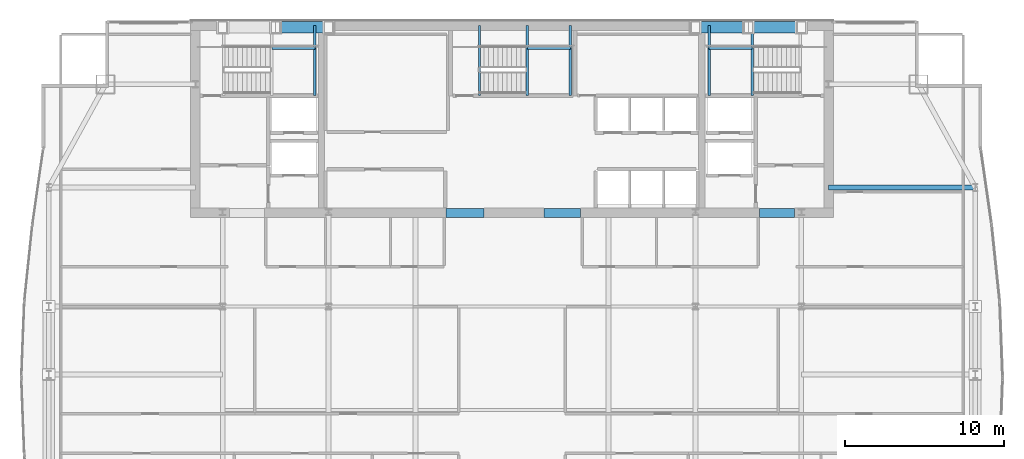
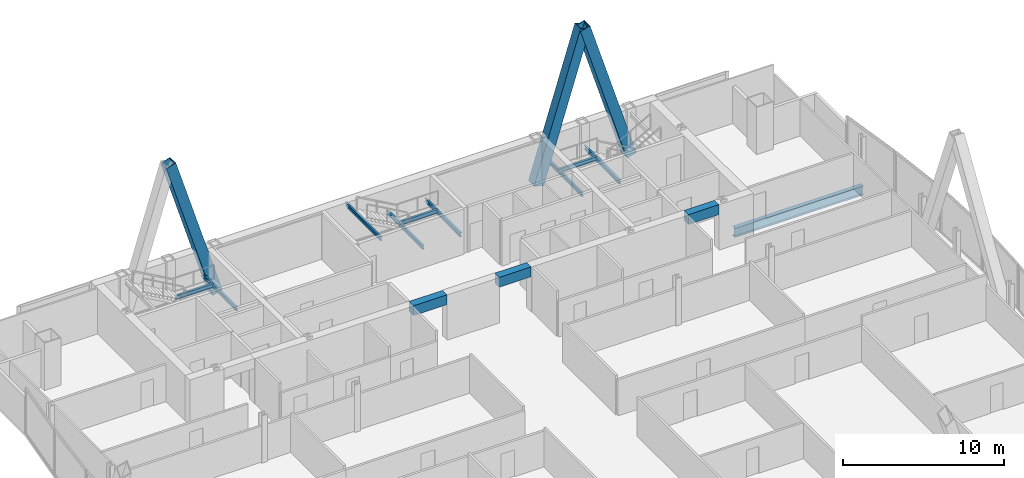
# One storey, part 24 of 32: 13 beams, 3 members.
"""IFC4 building model written with IfcOpenShell, lengths in metres."""

from ifc_helpers import new_model, si_unit, direction, frame, origin, origin_2d, place, context, subcontext, project, spatial, rectangle, hollow_rectangle, i_section, extrude, material, material_profile, profile_set, type_object, element, save


model = new_model("IFC4")

# Units and contexts
model_context = context("Model", 3, precision=1e-05, world=origin(), true_north=direction((0.0, 1.0)))
body_context = subcontext(model_context, "Body", "Model", "MODEL_VIEW")
ifc_project = project(units=[si_unit("LENGTHUNIT", "METRE"), si_unit("AREAUNIT", "SQUARE_METRE"), si_unit("VOLUMEUNIT", "CUBIC_METRE"), si_unit("PLANEANGLEUNIT", "RADIAN"), si_unit("MASSUNIT", "GRAM", prefix="KILO")], contexts=[model_context])

# Site, building, storey
site_placement = place(None, origin())
site = spatial("IfcSite", under=ifc_project, at=site_placement, CompositionType="ELEMENT")
building_placement = place(site_placement, origin())
building = spatial("IfcBuilding", under=site, at=building_placement, Name="Khoronbel Lancet Exchange", CompositionType="ELEMENT")
storey_placement = place(building_placement, frame((0.0, 0.0, 199.39990234375)))
storey = spatial("IfcBuildingStorey", under=building, at=storey_placement, Name="L50", CompositionType="ELEMENT", Elevation=199.39990234375)

# Beams
ifc_material_1 = material(Name="Steel S355", Category="steel")
ifc_material_profile_1 = material_profile(ifc_material_1, i_section(OverallWidth=0.300048828125, OverallDepth=0.699951171875, WebThickness=0.01708984375, FlangeThickness=0.031982421875, at=origin_2d()), Name="HEB 700")
ifc_profile_set_1 = profile_set([ifc_material_profile_1], Name="Steel S355")
beam_type_1 = type_object("IfcBeamType", Name="BM-BG3", PredefinedType="BEAM", material=ifc_profile_set_1)
beam_1_placement = place(storey_placement, frame((56.39990234375, 43.199951171875, -0.510009765625), z_axis=(1.0, 0.0, 0.0), x_axis=(0.0, 1.0, 0.0)))
element("IfcBeam", 1, at=beam_1_placement, inside=storey, type_object=beam_type_1, Name="Level L50 east lens tie girder LG3E", PredefinedType="BEAM", context=body_context, shape_type="SweptSolid", body=[
    extrude(i_section(OverallWidth=0.300048828125, OverallDepth=0.699951171875, WebThickness=0.01708984375, FlangeThickness=0.031982421875, at=origin_2d()), origin(), (0.0, 0.0, 1.0), 9.22998046875),
])
ifc_material_profile_2 = material_profile(ifc_material_1, i_section(OverallWidth=0.14990234375, OverallDepth=0.300048828125, WebThickness=0.007080078125, FlangeThickness=0.0107421875, at=origin_2d()), Name="IPE 300")
ifc_profile_set_2 = profile_set([ifc_material_profile_2], Name="Steel S355")
beam_type_2 = type_object("IfcBeamType", Name="BM-BJ8", PredefinedType="JOIST", material=ifc_profile_set_2)
beam_2_placement = place(storey_placement, frame((24.030029296875, 48.97998046875, 1.4501953125), z_axis=(0.0, 1.0, 0.0), x_axis=(-1.0, 0.0, 0.0)))
element("IfcBeam", 2, at=beam_2_placement, inside=storey, type_object=beam_type_2, Name="Level L50 stair ST1 rear landing bearer beam 1", PredefinedType="JOIST", context=body_context, shape_type="SweptSolid", body=[
    extrude(i_section(OverallWidth=0.14990234375, OverallDepth=0.300048828125, WebThickness=0.007080078125, FlangeThickness=0.0107421875, at=origin_2d()), origin(), (0.0, 0.0, 1.0), 4.419921875),
])
beam_3_placement = place(storey_placement, frame((21.320068359375, 51.97998046875, 1.4501953125), z_axis=(1.0, 0.0, 0.0), x_axis=(0.0, 1.0, 0.0)))
element("IfcBeam", 3, at=beam_3_placement, inside=storey, type_object=beam_type_2, Name="Level L50 stair ST1 landing cross trimmer beam 1", PredefinedType="JOIST", context=body_context, shape_type="SweptSolid", body=[
    extrude(i_section(OverallWidth=0.14990234375, OverallDepth=0.300048828125, WebThickness=0.007080078125, FlangeThickness=0.0107421875, at=origin_2d()), origin(), (0.0, 0.0, 1.0), 2.7099609375),
])
for number, where, z_axis, x_axis, name in (
    (4, (51.580078125, 48.97998046875, 1.4501953125), (0.0, 1.0, 0.0), (-1.0, 0.0, 0.0), "Level L50 stair ST2 landing bearer beam 1"),
    (5, (48.8701171875, 48.97998046875, 1.4501953125), (0.0, 1.0, 0.0), (-1.0, 0.0, 0.0), "Level L50 stair ST2 rear landing bearer beam 1"),
):
    element("IfcBeam", number, at=place(storey_placement, frame(where, z_axis=z_axis, x_axis=x_axis)), inside=storey, type_object=beam_type_2, Name=name, PredefinedType="JOIST", context=body_context, shape_type="SweptSolid", body=[
        extrude(i_section(OverallWidth=0.14990234375, OverallDepth=0.300048828125, WebThickness=0.007080078125, FlangeThickness=0.0107421875, at=origin_2d()), origin(), (0.0, 0.0, 1.0), 4.419921875),
    ])
beam_4_placement = place(storey_placement, frame((48.8701171875, 51.97998046875, 1.4501953125), z_axis=(1.0, 0.0, 0.0), x_axis=(0.0, 1.0, 0.0)))
element("IfcBeam", 6, at=beam_4_placement, inside=storey, type_object=beam_type_2, Name="Level L50 stair ST2 landing cross trimmer beam 1", PredefinedType="JOIST", context=body_context, shape_type="SweptSolid", body=[
    extrude(i_section(OverallWidth=0.14990234375, OverallDepth=0.300048828125, WebThickness=0.007080078125, FlangeThickness=0.0107421875, at=origin_2d()), origin(), (0.0, 0.0, 1.0), 2.7099609375),
])
for number, where, z_axis, x_axis, name in (
    (7, (37.419921875, 48.97998046875, 1.4501953125), (0.0, 1.0, 0.0), (-1.0, 0.0, 0.0), "Level L50 stair ST3 landing bearer beam 1"),
    (8, (40.1298828125, 48.97998046875, 1.4501953125), (0.0, 1.0, 0.0), (-1.0, 0.0, 0.0), "Level L50 stair ST3 rear landing bearer beam 1"),
):
    element("IfcBeam", number, at=place(storey_placement, frame(where, z_axis=z_axis, x_axis=x_axis)), inside=storey, type_object=beam_type_2, Name=name, PredefinedType="JOIST", context=body_context, shape_type="SweptSolid", body=[
        extrude(i_section(OverallWidth=0.14990234375, OverallDepth=0.300048828125, WebThickness=0.007080078125, FlangeThickness=0.0107421875, at=origin_2d()), origin(), (0.0, 0.0, 1.0), 4.419921875),
    ])
beam_5_placement = place(storey_placement, frame((37.419921875, 51.97998046875, 1.4501953125), z_axis=(1.0, 0.0, 0.0), x_axis=(0.0, 1.0, 0.0)))
element("IfcBeam", 9, at=beam_5_placement, inside=storey, type_object=beam_type_2, Name="Level L50 stair ST3 landing cross trimmer beam 1", PredefinedType="JOIST", context=body_context, shape_type="SweptSolid", body=[
    extrude(i_section(OverallWidth=0.14990234375, OverallDepth=0.300048828125, WebThickness=0.007080078125, FlangeThickness=0.0107421875, at=origin_2d()), origin(), (0.0, 0.0, 1.0), 2.7099609375),
])
beam_6_placement = place(storey_placement, frame((34.39990234375, 48.97998046875, 3.16015625), z_axis=(0.0, 1.0, 0.0), x_axis=(-1.0, 0.0, 0.0)))
element("IfcBeam", 10, at=beam_6_placement, inside=storey, type_object=beam_type_2, Name="Level L50 stair ST3 upper-flight arrival trimmer beam", PredefinedType="JOIST", context=body_context, shape_type="SweptSolid", body=[
    extrude(i_section(OverallWidth=0.14990234375, OverallDepth=0.300048828125, WebThickness=0.007080078125, FlangeThickness=0.0107421875, at=origin_2d()), origin(), (0.0, 0.0, 1.0), 4.419921875),
])
ifc_material_2 = material(Name="Concrete C60/75", Category="concrete")
ifc_material_profile_3 = material_profile(ifc_material_2, rectangle(XDim=0.550048828125, YDim=0.75, at=origin_2d()), Name="RC 550x750")
ifc_profile_set_3 = profile_set([ifc_material_profile_3], Name="Concrete C60/75")
beam_type_3 = type_object("IfcBeamType", Name="BM-BL2", PredefinedType="LINTEL", material=ifc_profile_set_3)
beam_7_placement = place(storey_placement, frame((32.300048828125, 41.60009765625, 3.065185546875), z_axis=(1.0, 0.0, 0.0), x_axis=(0.0, 1.0, 0.0)))
element("IfcBeam", 11, at=beam_7_placement, inside=storey, type_object=beam_type_3, Name="Level L50 rear core coupling lintel L2", PredefinedType="LINTEL", context=body_context, shape_type="SweptSolid", body=[
    extrude(rectangle(XDim=0.550048828125, YDim=0.75, at=origin_2d()), origin(), (0.0, 0.0, 1.0), 2.39990234375),
])
beam_8_placement = place(storey_placement, frame((38.449951171875, 41.60009765625, 3.065185546875), z_axis=(1.0, 0.0, 0.0), x_axis=(0.0, 1.0, 0.0)))
element("IfcBeam", 12, at=beam_8_placement, inside=storey, type_object=beam_type_3, Name="Level L50 rear core coupling lintel L3", PredefinedType="LINTEL", context=body_context, shape_type="SweptSolid", body=[
    extrude(rectangle(XDim=0.550048828125, YDim=0.75, at=origin_2d()), origin(), (0.0, 0.0, 1.0), 2.300048828125),
])
beam_9_placement = place(storey_placement, frame((52.050048828125, 41.60009765625, 3.065185546875), z_axis=(1.0, 0.0, 0.0), x_axis=(0.0, 1.0, 0.0)))
element("IfcBeam", 13, at=beam_9_placement, inside=storey, type_object=beam_type_3, Name="Level L50 rear core coupling lintel L4", PredefinedType="LINTEL", context=body_context, shape_type="SweptSolid", body=[
    extrude(rectangle(XDim=0.550048828125, YDim=0.75, at=origin_2d()), origin(), (0.0, 0.0, 1.0), 2.199951171875),
])

# Members
ifc_material_3 = material(Name="Steel S460", Category="steel")
ifc_material_profile_4 = material_profile(ifc_material_3, hollow_rectangle(XDim=0.719970703125, YDim=0.719970703125, WallThickness=0.050048828125, at=origin_2d()), Name="BOX 720x720x50")
ifc_profile_set_4 = profile_set([ifc_material_profile_4], Name="Steel S460")
member_type = type_object("IfcMemberType", Name="MEM-MB2", PredefinedType="BRACE", material=ifc_profile_set_4)
for number, where, z_axis, x_axis, name in (
    (14, (24.89990234375, 53.280029296875, 0.0), (-0.295242108906, 0.0, 0.955422470496), (0.0, -1.0, 0.0), "Perimeter lancet brace tier 17 N-W-R"),
    (15, (48.0, 53.280029296875, 0.0), (0.295242108906, 0.0, 0.955422470496), (0.0, 1.0, 0.0), "Perimeter lancet brace tier 17 N-E-L"),
    (16, (54.675048828125, 53.280029296875, 0.0), (-0.295261823895, 0.0, 0.955416378), (0.0, -1.0, 0.0), "Perimeter lancet brace tier 17 N-E-R"),
):
    element("IfcMember", number, at=place(storey_placement, frame(where, z_axis=z_axis, x_axis=x_axis)), inside=storey, type_object=member_type, Name=name, PredefinedType="BRACE", context=body_context, shape_type="SweptSolid", body=[
        extrude(hollow_rectangle(XDim=0.719970703125, YDim=0.719970703125, WallThickness=0.050048828125, at=origin_2d()), origin(), (0.0, 0.0, 1.0), 11.303955078125),
    ])

save(model, "model.ifc")
